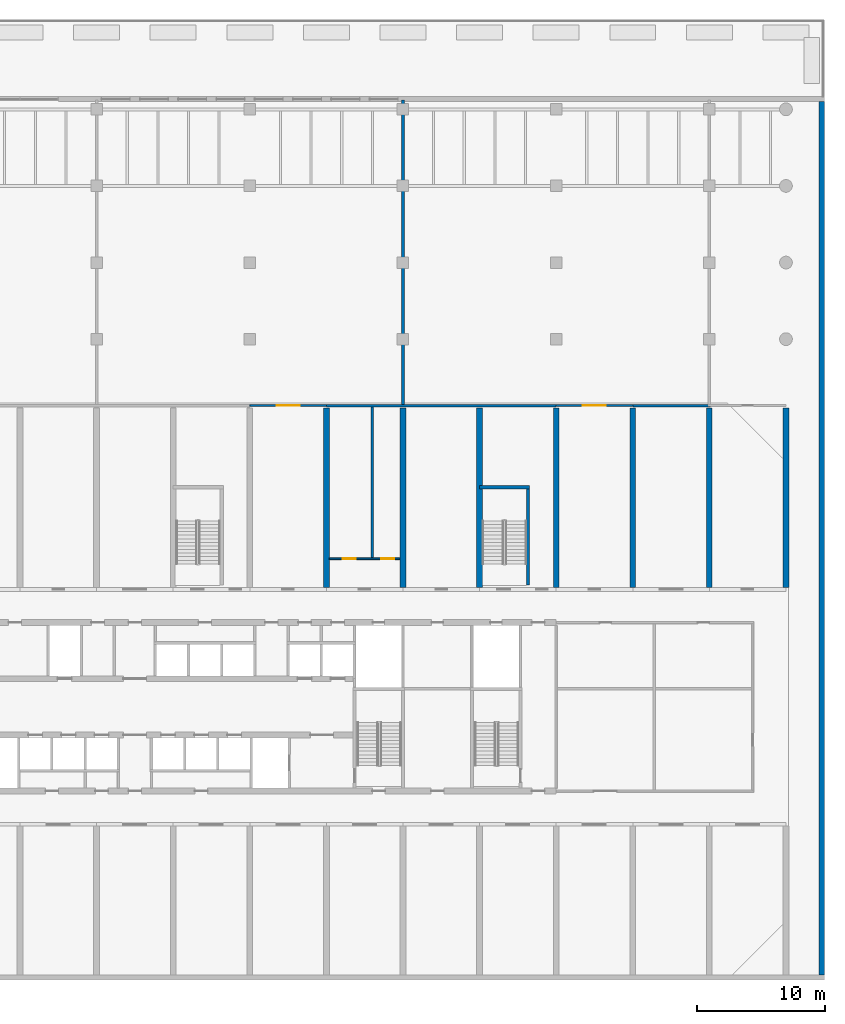
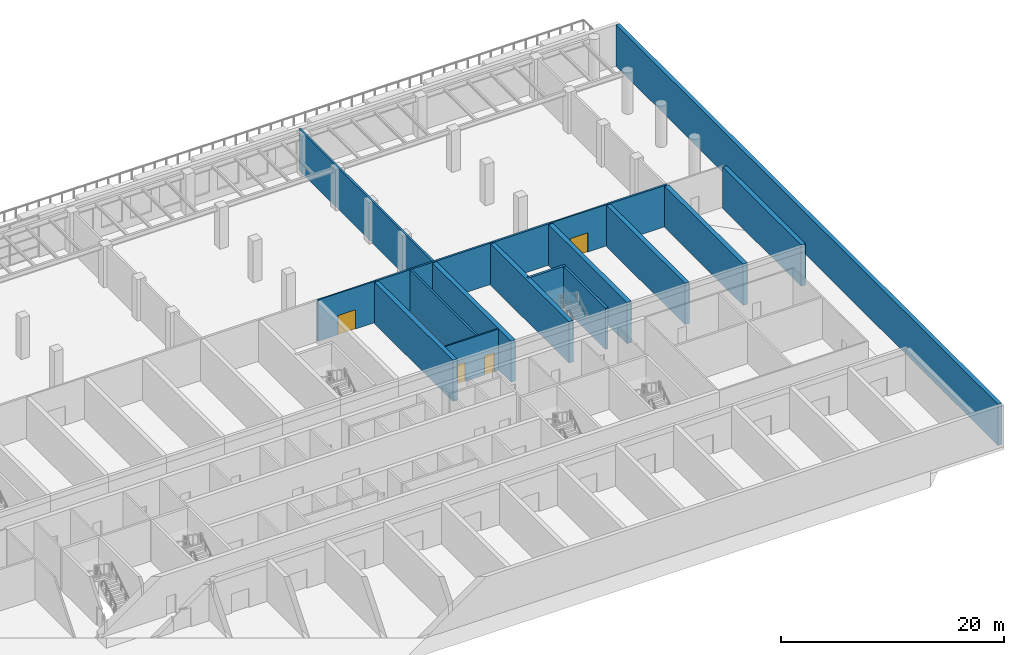
# One storey, part 14 of 20: 17 walls, 4 doors, 4 openings.
"""IFC4 building model written with IfcOpenShell, lengths in metres."""

from ifc_helpers import new_model, si_unit, direction, frame, frame_2d, origin, place, context, subcontext, project, spatial, rectangle, extrude, material, layer, layer_set, type_object, element, fill, save


model = new_model("IFC4")

# Units and contexts
model_context = context("Model", 3, precision=1e-05, world=origin(), true_north=direction((0.0, 1.0)))
body_context = subcontext(model_context, "Body", "Model", "MODEL_VIEW")
ifc_project = project(units=[si_unit("LENGTHUNIT", "METRE"), si_unit("AREAUNIT", "SQUARE_METRE"), si_unit("VOLUMEUNIT", "CUBIC_METRE"), si_unit("PLANEANGLEUNIT", "RADIAN"), si_unit("MASSUNIT", "GRAM", prefix="KILO")], contexts=[model_context])

# Site, building, storey
site_placement = place(None, origin())
site = spatial("IfcSite", under=ifc_project, at=site_placement, CompositionType="ELEMENT")
building_placement = place(site_placement, origin())
building = spatial("IfcBuilding", under=site, at=building_placement, Name="Poui Terraces", CompositionType="ELEMENT")
storey_placement = place(building_placement, frame((0.0, 0.0, 6.0)))
storey = spatial("IfcBuildingStorey", under=building, at=storey_placement, Name="L01", CompositionType="ELEMENT", Elevation=6.0)

# Walls
ifc_material_1 = material(Name="Fire-rated masonry wall", Category="masonry")
ifc_layer_1 = layer(ifc_material_1, 0.199951171875)
ifc_layer_set_1 = layer_set([ifc_layer_1], Name="Fire-rated masonry wall")
wall_type_1 = type_object("IfcWallType", Name="COMPARTMENT WALL 200", PredefinedType="PARTITIONING", material=ifc_layer_set_1)
wall_1_placement = place(storey_placement, frame((66.0, 44.800048828125, 0.0), z_axis=(0.0, 0.0, 1.0), x_axis=(1.0, 0.0, 0.0)))
element("IfcWall", 1, at=wall_1_placement, inside=storey, type_object=wall_type_1, Name="COMPARTMENT WALL 200", PredefinedType="PARTITIONING", context=body_context, shape_type="SweptSolid", body=[
    extrude(rectangle(XDim=18.0, YDim=0.199951171875, at=frame_2d((9.0, 0.0))), origin(), (0.0, 0.0, 1.0), 4.52001953125),
])
wall_2_placement = place(storey_placement, frame((90.0, 44.800048828125, 0.0), z_axis=(0.0, 0.0, 1.0), x_axis=(1.0, 0.0, 0.0)))
element("IfcWall", 2, at=wall_2_placement, inside=storey, type_object=wall_type_1, Name="COMPARTMENT WALL 200", PredefinedType="PARTITIONING", context=body_context, shape_type="SweptSolid", body=[
    extrude(rectangle(XDim=6.10009765625, YDim=0.199951171875, at=frame_2d((3.050048828125, 0.0))), origin(), (0.0, 0.0, 1.0), 4.52001953125),
])
wall_3_placement = place(storey_placement, frame((69.60009765625, 32.875, 0.0), z_axis=(0.0, 0.0, 1.0), x_axis=(0.0, 1.0, 0.0)))
element("IfcWall", 3, at=wall_3_placement, inside=storey, type_object=wall_type_1, Name="COMPARTMENT WALL 200", PredefinedType="PARTITIONING", context=body_context, shape_type="SweptSolid", body=[
    extrude(rectangle(XDim=11.824951171875, YDim=0.199951171875, at=frame_2d((5.91259765625, 0.0))), origin(), (0.0, 0.0, 1.0), 4.52001953125),
])
wall_4_placement = place(storey_placement, frame((72.0, 44.89990234375, 0.0), z_axis=(0.0, 0.0, 1.0), x_axis=(0.0, 1.0, 0.0)))
element("IfcWall", 4, at=wall_4_placement, inside=storey, type_object=wall_type_1, Name="COMPARTMENT WALL 200", PredefinedType="PARTITIONING", context=body_context, shape_type="SweptSolid", body=[
    extrude(rectangle(XDim=23.840087890625, YDim=0.199951171875, at=frame_2d((11.919921875, 0.0))), origin(), (0.0, 0.0, 1.0), 4.52001953125),
])

# Wall, openings, doors
ifc_material_2 = material(Name="Fire-rated plasterboard wall")
ifc_layer_2 = layer(ifc_material_2, 0.14990234375)
ifc_layer_set_2 = layer_set([ifc_layer_2], Name="Fire-rated plasterboard wall")
wall_type_2 = type_object("IfcWallType", Name="CORRIDOR WALL 150", PredefinedType="PARTITIONING", material=ifc_layer_set_2)
wall_5_placement = place(storey_placement, frame((66.235107421875, 32.800048828125, 0.0), z_axis=(0.0, 0.0, 1.0), x_axis=(1.0, 0.0, 0.0)))
wall_5 = element("IfcWall", 5, at=wall_5_placement, inside=storey, type_object=wall_type_2, Name="CORRIDOR WALL 150", PredefinedType="PARTITIONING", context=body_context, shape_type="SweptSolid", body=[
    extrude(rectangle(XDim=5.52978515625, YDim=0.14990234375, at=frame_2d((2.764892578125, 0.0))), origin(), (0.0, 0.0, 1.0), 4.52001953125),
])
opening_1_placement = place(wall_5_placement, frame((1.06494140625, 0.0, 0.0)))
opening_1 = element("IfcOpeningElement", 6, at=opening_1_placement, cuts=wall_5, Name="Opening D100", PredefinedType="OPENING", context=body_context, shape_type="SweptSolid", body=[
    extrude(rectangle(XDim=1.0, YDim=2.10009765625, at=frame_2d((0.5, 1.050048828125))), frame((0.0, 0.0849609375, 0.0), z_axis=(0.0, -1.0, 0.0), x_axis=(1.0, 0.0, 0.0)), (0.0, 0.0, 1.0), 0.169921875),
])
opening_2_placement = place(wall_5_placement, frame((4.06494140625, 0.0, 0.0)))
opening_2 = element("IfcOpeningElement", 7, at=opening_2_placement, cuts=wall_5, Name="Opening D100", PredefinedType="OPENING", context=body_context, shape_type="SweptSolid", body=[
    extrude(rectangle(XDim=1.0, YDim=2.10009765625, at=frame_2d((0.5, 1.050048828125))), frame((0.0, 0.0849609375, 0.0), z_axis=(0.0, -1.0, 0.0), x_axis=(1.0, 0.0, 0.0)), (0.0, 0.0, 1.0), 0.169921875),
])
ifc_material_3 = material(Name="Solid core timber door", Category="wood")
door_type_1 = type_object("IfcDoorType", Name="ACCESSIBLE INTERNAL DOOR 1000 X 2100", OperationType="NOTDEFINED", PredefinedType="DOOR", material=ifc_material_3)
door_1_placement = place(opening_1_placement, frame((1.0, 0.0, 0.0), z_axis=(0.0, 0.0, 1.0), x_axis=(-1.0, 0.0, 0.0)))
door_1 = element("IfcDoor", 8, at=door_1_placement, inside=storey, type_object=door_type_1, Name="ACCESSIBLE INTERNAL DOOR 074", OperationType="SINGLE_SWING_RIGHT", OverallHeight=2.10009765625, OverallWidth=1.0, PredefinedType="DOOR", context=body_context, shape_type="SweptSolid", body=[
    extrude(rectangle(XDim=1.0, YDim=2.10009765625, at=frame_2d((0.5, 1.050048828125))), frame((0.0, 0.02490234375, 0.0), z_axis=(0.0, -1.0, 0.0), x_axis=(1.0, 0.0, 0.0)), (0.0, 0.0, 1.0), 0.050048828125),
])
fill(opening_1, door_1)
door_2_placement = place(opening_2_placement, frame((1.0, 0.0, 0.0), z_axis=(0.0, 0.0, 1.0), x_axis=(-1.0, 0.0, 0.0)))
door_2 = element("IfcDoor", 9, at=door_2_placement, inside=storey, type_object=door_type_1, Name="ACCESSIBLE INTERNAL DOOR 075", OperationType="SINGLE_SWING_LEFT", OverallHeight=2.10009765625, OverallWidth=1.0, PredefinedType="DOOR", context=body_context, shape_type="SweptSolid", body=[
    extrude(rectangle(XDim=1.0, YDim=2.10009765625, at=frame_2d((0.5, 1.050048828125))), frame((0.0, 0.02490234375, 0.0), z_axis=(0.0, -1.0, 0.0), x_axis=(1.0, 0.0, 0.0)), (0.0, 0.0, 1.0), 0.050048828125),
])
fill(opening_2, door_2)

# Wall, opening, door
wall_6_placement = place(storey_placement, frame((60.0, 44.800048828125, 0.0), z_axis=(0.0, 0.0, 1.0), x_axis=(1.0, 0.0, 0.0)))
wall_6 = element("IfcWall", 10, at=wall_6_placement, inside=storey, type_object=wall_type_2, Name="CORRIDOR WALL 150", PredefinedType="PARTITIONING", context=body_context, shape_type="SweptSolid", body=[
    extrude(rectangle(XDim=6.0, YDim=0.14990234375, at=frame_2d((3.0, 0.0))), origin(), (0.0, 0.0, 1.0), 4.52001953125),
])
opening_3_placement = place(wall_6_placement, frame((2.10009765625, 0.0, 0.0)))
opening_3 = element("IfcOpeningElement", 11, at=opening_3_placement, cuts=wall_6, Name="Opening DD180", PredefinedType="OPENING", context=body_context, shape_type="SweptSolid", body=[
    extrude(rectangle(XDim=1.800048828125, YDim=2.10009765625, at=frame_2d((0.89990234375, 1.050048828125))), frame((0.0, 0.0849609375, 0.0), z_axis=(0.0, -1.0, 0.0), x_axis=(1.0, 0.0, 0.0)), (0.0, 0.0, 1.0), 0.169921875),
])
ifc_material_4 = material(Name="Steel fire door", Category="steel")
door_type_2 = type_object("IfcDoorType", Name="DOUBLE INTERNAL DOOR 1800 X 2100", OperationType="DOUBLE_DOOR_SINGLE_SWING", PredefinedType="DOOR", material=ifc_material_4)
door_3_placement = place(opening_3_placement, frame((1.800048828125, 0.0, 0.0), z_axis=(0.0, 0.0, 1.0), x_axis=(-1.0, 0.0, 0.0)))
door_3 = element("IfcDoor", 12, at=door_3_placement, inside=storey, type_object=door_type_2, Name="DOUBLE INTERNAL DOOR 078", OperationType="DOUBLE_DOOR_SINGLE_SWING", OverallHeight=2.10009765625, OverallWidth=1.800048828125, PredefinedType="DOOR", context=body_context, shape_type="SweptSolid", body=[
    extrude(rectangle(XDim=1.800048828125, YDim=2.10009765625, at=frame_2d((0.89990234375, 1.050048828125))), frame((0.0, 0.02490234375, 0.0), z_axis=(0.0, -1.0, 0.0), x_axis=(1.0, 0.0, 0.0)), (0.0, 0.0, 1.0), 0.050048828125),
])
fill(opening_3, door_3)

wall_7_placement = place(storey_placement, frame((84.0, 44.800048828125, 0.0), z_axis=(0.0, 0.0, 1.0), x_axis=(1.0, 0.0, 0.0)))
wall_7 = element("IfcWall", 13, at=wall_7_placement, inside=storey, type_object=wall_type_2, Name="CORRIDOR WALL 150", PredefinedType="PARTITIONING", context=body_context, shape_type="SweptSolid", body=[
    extrude(rectangle(XDim=6.0, YDim=0.14990234375, at=frame_2d((3.0, 0.0))), origin(), (0.0, 0.0, 1.0), 4.52001953125),
])
opening_4_placement = place(wall_7_placement, frame((2.10009765625, 0.0, 0.0)))
opening_4 = element("IfcOpeningElement", 14, at=opening_4_placement, cuts=wall_7, Name="Opening DD180", PredefinedType="OPENING", context=body_context, shape_type="SweptSolid", body=[
    extrude(rectangle(XDim=1.800048828125, YDim=2.10009765625, at=frame_2d((0.89990234375, 1.050048828125))), frame((0.0, 0.0849609375, 0.0), z_axis=(0.0, -1.0, 0.0), x_axis=(1.0, 0.0, 0.0)), (0.0, 0.0, 1.0), 0.169921875),
])
door_4_placement = place(opening_4_placement, frame((1.800048828125, 0.0, 0.0), z_axis=(0.0, 0.0, 1.0), x_axis=(-1.0, 0.0, 0.0)))
door_4 = element("IfcDoor", 15, at=door_4_placement, inside=storey, type_object=door_type_2, Name="DOUBLE INTERNAL DOOR 079", OperationType="DOUBLE_DOOR_SINGLE_SWING", OverallHeight=2.10009765625, OverallWidth=1.800048828125, PredefinedType="DOOR", context=body_context, shape_type="SweptSolid", body=[
    extrude(rectangle(XDim=1.800048828125, YDim=2.10009765625, at=frame_2d((0.89990234375, 1.050048828125))), frame((0.0, 0.02490234375, 0.0), z_axis=(0.0, -1.0, 0.0), x_axis=(1.0, 0.0, 0.0)), (0.0, 0.0, 1.0), 0.050048828125),
])
fill(opening_4, door_4)

# Walls
ifc_material_5 = material(Name="Concrete 80 MPa", Category="concrete")
ifc_layer_3 = layer(ifc_material_5, 0.449951171875)
ifc_layer_set_3 = layer_set([ifc_layer_3], Name="Concrete 80 MPa")
wall_type_3 = type_object("IfcWallType", Name="CROSS WALL 450 80MPa", PredefinedType="SHEAR", material=ifc_layer_set_3)
for number, where, z_axis, x_axis, name in (
    (16, (66.0, 30.550048828125, 0.0), (0.0, 0.0, 1.0), (0.0, 1.0, 0.0), "CROSS WALL LINE 12 NORTH"),
    (17, (72.0, 30.550048828125, 0.0), (0.0, 0.0, 1.0), (0.0, 1.0, 0.0), "CROSS WALL LINE 13 NORTH"),
    (18, (78.0, 30.550048828125, 0.0), (0.0, 0.0, 1.0), (0.0, 1.0, 0.0), "CROSS WALL LINE 14 NORTH"),
    (19, (84.0, 30.550048828125, 0.0), (0.0, 0.0, 1.0), (0.0, 1.0, 0.0), "CROSS WALL LINE 15 NORTH"),
    (20, (90.0, 30.550048828125, 0.0), (0.0, 0.0, 1.0), (0.0, 1.0, 0.0), "CROSS WALL LINE 16 NORTH"),
    (21, (96.0, 30.550048828125, 0.0), (0.0, 0.0, 1.0), (0.0, 1.0, 0.0), "CROSS WALL LINE 17 NORTH"),
    (22, (102.0, 30.550048828125, 0.0), (0.0, 0.0, 1.0), (0.0, 1.0, 0.0), "CROSS WALL LINE 18 NORTH"),
):
    element("IfcWall", number, at=place(storey_placement, frame(where, z_axis=z_axis, x_axis=x_axis)), inside=storey, type_object=wall_type_3, Name=name, PredefinedType="SHEAR", context=body_context, shape_type="SweptSolid", body=[
        extrude(rectangle(XDim=14.050048828125, YDim=0.449951171875, at=frame_2d((7.02490234375, 0.0))), origin(), (0.0, 0.0, 1.0), 4.52001953125),
    ])
ifc_material_6 = material(Name="Precast concrete 40 MPa", Category="concrete")
ifc_layer_4 = layer(ifc_material_6, 0.39990234375)
ifc_layer_set_4 = layer_set([ifc_layer_4], Name="Precast concrete 40 MPa")
wall_type_4 = type_object("IfcWallType", Name="EXTERNAL WALL 400", PredefinedType="STANDARD", material=ifc_layer_set_4)
wall_8_placement = place(storey_placement, frame((104.800048828125, 0.199951171875, 0.0), z_axis=(0.0, 0.0, 1.0), x_axis=(0.0, 1.0, 0.0)))
element("IfcWall", 23, at=wall_8_placement, inside=storey, type_object=wall_type_4, Name="EXTERNAL WALL E", PredefinedType="STANDARD", context=body_context, shape_type="SweptSolid", body=[
    extrude(rectangle(XDim=68.400146484375, YDim=0.39990234375, at=frame_2d((34.2001953125, 0.0))), origin(), (0.0, 0.0, 1.0), 4.52001953125),
])
ifc_layer_5 = layer(ifc_material_5, 0.25)
ifc_layer_set_5 = layer_set([ifc_layer_5], Name="Concrete 80 MPa")
wall_type_5 = type_object("IfcWallType", Name="STAIR CORE WALL 250 80 MPA", PredefinedType="SOLIDWALL", material=ifc_layer_set_5)
wall_9_placement = place(storey_placement, frame((81.800048828125, 30.75, 0.0), z_axis=(0.0, 0.0, 1.0), x_axis=(0.0, 1.0, 0.0)))
element("IfcWall", 24, at=wall_9_placement, inside=storey, type_object=wall_type_5, Name="STAIR CORE WALL", PredefinedType="SOLIDWALL", context=body_context, shape_type="SweptSolid", body=[
    extrude(rectangle(XDim=7.52490234375, YDim=0.25, at=frame_2d((3.762451171875, 0.0))), origin(), (0.0, 0.0, 1.0), 4.52001953125),
])
wall_10_placement = place(storey_placement, frame((78.0, 38.39990234375, 0.0), z_axis=(0.0, 0.0, 1.0), x_axis=(1.0, 0.0, 0.0)))
element("IfcWall", 25, at=wall_10_placement, inside=storey, type_object=wall_type_5, Name="STAIR CORE WALL", PredefinedType="SOLIDWALL", context=body_context, shape_type="SweptSolid", body=[
    extrude(rectangle(XDim=3.925048828125, YDim=0.25, at=frame_2d((1.96240234375, 0.0))), origin(), (0.0, 0.0, 1.0), 4.52001953125),
])

save(model, "model.ifc")
